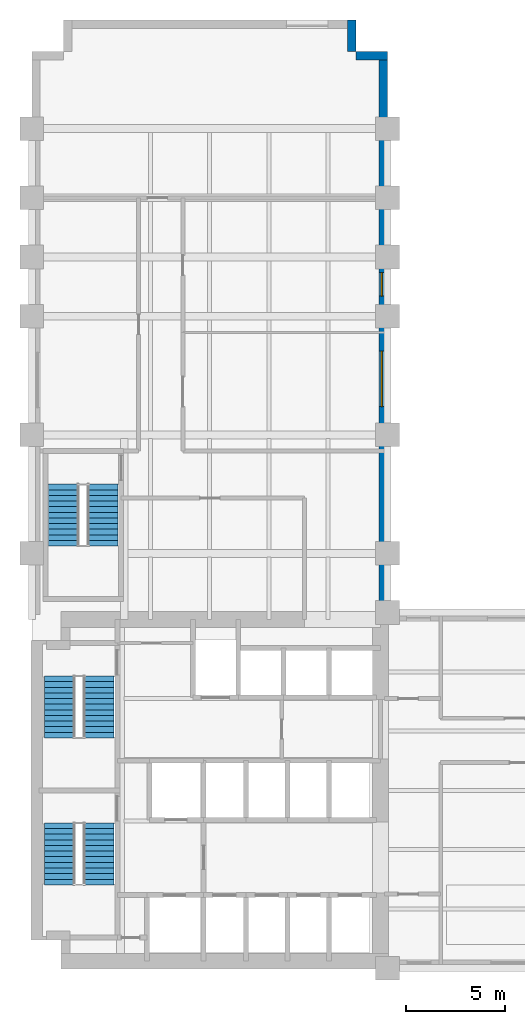
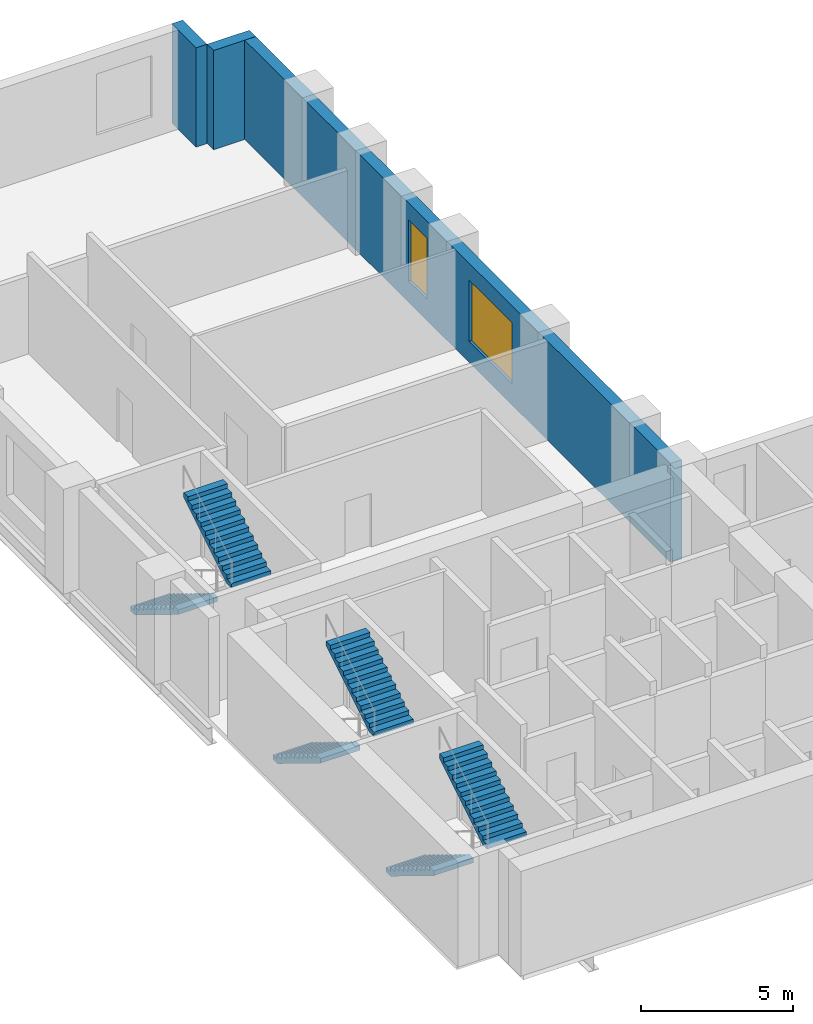
# One storey, part 6 of 7: 6 stair flights, 3 walls, 2 windows, 2 openings, 3 elements without a shape of their own.
"""IFC4 building model written with IfcOpenShell, lengths in metres."""

from ifc_helpers import new_model, si_unit, direction, frame, frame_2d, origin, place, context, subcontext, project, spatial, polyline, rectangle, outline, extrude, material, layer, layer_set, type_object, element, fill, aggregate, save


model = new_model("IFC4")

# Units and contexts
model_context = context("Model", 3, precision=1e-05, world=origin(), true_north=direction((0.0, 1.0)))
body_context = subcontext(model_context, "Body", "Model", "MODEL_VIEW")
ifc_project = project(units=[si_unit("LENGTHUNIT", "METRE"), si_unit("AREAUNIT", "SQUARE_METRE"), si_unit("VOLUMEUNIT", "CUBIC_METRE"), si_unit("PLANEANGLEUNIT", "RADIAN"), si_unit("MASSUNIT", "GRAM", prefix="KILO")], contexts=[model_context])

# Site, building, storey
site_placement = place(None, origin())
site = spatial("IfcSite", under=ifc_project, at=site_placement, CompositionType="ELEMENT")
building_placement = place(site_placement, origin())
building = spatial("IfcBuilding", under=site, at=building_placement, Name="Mawjdan Bourse Tower", CompositionType="ELEMENT")
storey_placement = place(building_placement, frame((0.0, 0.0, 46.800048828125)))
storey = spatial("IfcBuildingStorey", under=building, at=storey_placement, Name="L10", CompositionType="ELEMENT", Elevation=46.800048828125)

# Wall, openings, windows
ifc_material_1 = material(Name="Brick Masonry Buff", Category="masonry")
ifc_layer = layer(ifc_material_1, 0.419921875)
ifc_layer_set = layer_set([ifc_layer], Name="Brick Masonry Buff")
wall_type = type_object("IfcWallType", Name="WL-BRK-BUFF-420", PredefinedType="STANDARD", material=ifc_layer_set)
wall_placement = place(storey_placement, frame((23.7900390625, 21.0, 0.0), z_axis=(0.0, 0.0, 1.0), x_axis=(0.0, 1.0, 0.0)))
wall = element("IfcWall", 1, at=wall_placement, inside=storey, type_object=wall_type, Name="L10 Exterior Brick Wall 8", PredefinedType="STANDARD", context=body_context, shape_type="SweptSolid", body=[
    extrude(rectangle(XDim=28.39990234375, YDim=0.419921875, at=frame_2d((14.199951171875, 0.0))), origin(), (0.0, 0.0, 1.0), 3.97998046875),
])
opening_1_placement = place(wall_placement, frame((10.433349609375, 0.0, 0.85009765625)))
opening_1 = element("IfcOpeningElement", 2, at=opening_1_placement, cuts=wall, Name="Opening W-L10-04", PredefinedType="OPENING", context=body_context, shape_type="SweptSolid", body=[
    extrude(rectangle(XDim=2.800048828125, YDim=2.449951171875, at=frame_2d((1.39990234375, 1.22509765625))), frame((0.0, 0.219970703125, 0.0), z_axis=(0.0, -1.0, 0.0), x_axis=(1.0, 0.0, 0.0)), (0.0, 0.0, 1.0), 0.43994140625),
])
opening_2_placement = place(wall_placement, frame((16.01611328125, 0.0, 0.85009765625)))
opening_2 = element("IfcOpeningElement", 3, at=opening_2_placement, cuts=wall, Name="Opening W-L10-15", PredefinedType="OPENING", context=body_context, shape_type="SweptSolid", body=[
    extrude(rectangle(XDim=1.199951171875, YDim=2.449951171875, at=frame_2d((0.60009765625, 1.22509765625))), frame((0.0, 0.219970703125, 0.0), z_axis=(0.0, -1.0, 0.0), x_axis=(1.0, 0.0, 0.0)), (0.0, 0.0, 1.0), 0.43994140625),
])
ifc_material_2 = material(Name="Solar-Control Clear Double Glazing", Category="glass")
window_type_1 = type_object("IfcWindowType", Name="WN-TRD-1200", PartitioningType="SINGLE_PANEL", PredefinedType="WINDOW", material=ifc_material_2)
window_1_placement = place(opening_2_placement, origin())
window_1 = element("IfcWindow", 4, at=window_1_placement, inside=storey, type_object=window_type_1, Name="L10 Deep-Set Masonry Window W-L10-15", OverallHeight=2.449951171875, OverallWidth=1.199951171875, PartitioningType="SINGLE_PANEL", PredefinedType="WINDOW", context=body_context, shape_type="SweptSolid", body=[
    extrude(rectangle(XDim=1.199951171875, YDim=2.449951171875, at=frame_2d((0.60009765625, 1.22509765625))), frame((0.0, 0.110107421875, 0.0), z_axis=(0.0, -1.0, 0.0), x_axis=(1.0, 0.0, 0.0)), (0.0, 0.0, 1.0), 0.06005859375),
])
fill(opening_2, window_1)
window_type_2 = type_object("IfcWindowType", Name="WN-TRD-2800", PartitioningType="SINGLE_PANEL", PredefinedType="WINDOW", material=ifc_material_2)
window_2_placement = place(opening_1_placement, origin())
window_2 = element("IfcWindow", 5, at=window_2_placement, inside=storey, type_object=window_type_2, Name="L10 Deep-Set Masonry Window W-L10-04", OverallHeight=2.449951171875, OverallWidth=2.800048828125, PartitioningType="SINGLE_PANEL", PredefinedType="WINDOW", context=body_context, shape_type="SweptSolid", body=[
    extrude(rectangle(XDim=2.800048828125, YDim=2.449951171875, at=frame_2d((1.39990234375, 1.22509765625))), frame((0.0, 0.110107421875, 0.0), z_axis=(0.0, -1.0, 0.0), x_axis=(1.0, 0.0, 0.0)), (0.0, 0.0, 1.0), 0.06005859375),
])
fill(opening_1, window_2)

# Walls
for number, where, z_axis, x_axis, name in (
    (6, (24.0, 49.18994140625, 0.0), (0.0, 0.0, 1.0), (-1.0, 0.0, 0.0), "L10 Exterior Brick Wall 9"),
    (7, (22.18994140625, 49.39990234375, 0.0), (0.0, 0.0, 1.0), (0.0, 1.0, 0.0), "L10 Exterior Brick Wall 10"),
):
    element("IfcWall", number, at=place(storey_placement, frame(where, z_axis=z_axis, x_axis=x_axis)), inside=storey, type_object=wall_type, Name=name, PredefinedType="STANDARD", context=body_context, shape_type="SweptSolid", body=[
        extrude(rectangle(XDim=1.60009765625, YDim=0.419921875, at=frame_2d((0.800048828125, 0.0))), origin(), (0.0, 0.0, 1.0), 3.97998046875),
    ])

# Stair, stair flights
ifc_material_3 = material(Name="Concrete C50/60", Category="concrete")
stair_type = type_object("IfcStairType", Name="STR-CORE-1500", PredefinedType="HALF_TURN_STAIR", material=ifc_material_3)
stair_1_placement = place(storey_placement, origin())
stair_1 = element("IfcStair", 8, at=stair_1_placement, inside=storey, type_object=stair_type, Name="L10 Exit Stair 1 (Core South-West)", PredefinedType="HALF_TURN_STAIR")
stair_flight_type = type_object("IfcStairFlightType", Name="SFL-RC-1500", PredefinedType="STRAIGHT", material=ifc_material_3)
stair_flight_1_placement = place(storey_placement, frame((7.389892578125, 10.35009765625, 0.0), z_axis=(0.0, 0.0, 1.0), x_axis=(0.0, -1.0, 0.0)))
stair_flight_1 = element("IfcStairFlight", 9, at=stair_flight_1_placement, type_object=stair_flight_type, Name="ST1-L10 flight 1", NumberOfRisers=12, NumberOfTreads=11, PredefinedType="STRAIGHT", RiserHeight=0.175, TreadLength=0.285, context=body_context, shape_type="SweptSolid", body=[
    extrude(outline(polyline([(0.0, 0.0), (0.0, 0.175048828125), (0.284912109375, 0.175048828125), (0.284912109375, 0.35009765625), (0.570068359375, 0.35009765625), (0.570068359375, 0.52490234375), (0.85498046875, 0.52490234375), (0.85498046875, 0.699951171875), (1.139892578125, 0.699951171875), (1.139892578125, 0.875), (1.425048828125, 0.875), (1.425048828125, 1.050048828125), (1.7099609375, 1.050048828125), (1.7099609375, 1.22509765625), (1.9951171875, 1.22509765625), (1.9951171875, 1.39990234375), (2.280029296875, 1.39990234375), (2.280029296875, 1.574951171875), (2.56494140625, 1.574951171875), (2.56494140625, 1.75), (2.85009765625, 1.75), (2.85009765625, 1.925048828125), (3.135009765625, 1.925048828125), (3.135009765625, 2.10009765625), (3.135009765625, 1.7373046875), (0.3056640625, 0.0), (0.0, 0.0)])), frame((0.0, 0.75, 0.0), z_axis=(0.0, -1.0, 0.0), x_axis=(1.0, 0.0, 0.0)), (0.0, 0.0, 1.0), 1.5),
])
stair_flight_2_placement = place(storey_placement, frame((9.409912109375, 7.215087890625, 2.099853515625), z_axis=(0.0, 0.0, 1.0), x_axis=(0.0, 1.0, 0.0)))
stair_flight_2 = element("IfcStairFlight", 10, at=stair_flight_2_placement, type_object=stair_flight_type, Name="ST1-L10 flight 2", NumberOfRisers=12, NumberOfTreads=11, PredefinedType="STRAIGHT", RiserHeight=0.175, TreadLength=0.285, context=body_context, shape_type="SweptSolid", body=[
    extrude(outline(polyline([(0.0, 0.0), (0.0, 0.175048828125), (0.284912109375, 0.175048828125), (0.284912109375, 0.35009765625), (0.570068359375, 0.35009765625), (0.570068359375, 0.52490234375), (0.85498046875, 0.52490234375), (0.85498046875, 0.699951171875), (1.139892578125, 0.699951171875), (1.139892578125, 0.875), (1.425048828125, 0.875), (1.425048828125, 1.050048828125), (1.7099609375, 1.050048828125), (1.7099609375, 1.22509765625), (1.9951171875, 1.22509765625), (1.9951171875, 1.39990234375), (2.280029296875, 1.39990234375), (2.280029296875, 1.574951171875), (2.56494140625, 1.574951171875), (2.56494140625, 1.75), (2.85009765625, 1.75), (2.85009765625, 1.925048828125), (3.135009765625, 1.925048828125), (3.135009765625, 2.10009765625), (3.135009765625, 1.7373046875), (0.3056640625, 0.0), (0.0, 0.0)])), frame((0.0, 0.75, 0.0), z_axis=(0.0, -1.0, 0.0), x_axis=(1.0, 0.0, 0.0)), (0.0, 0.0, 1.0), 1.5),
])
aggregate(stair_1, [stair_flight_1, stair_flight_2])

stair_2_placement = place(storey_placement, origin())
stair_2 = element("IfcStair", 11, at=stair_2_placement, inside=storey, type_object=stair_type, Name="L10 Exit Stair 2 (Core North-West)", PredefinedType="HALF_TURN_STAIR")
stair_flight_3_placement = place(storey_placement, frame((7.389892578125, 17.7900390625, 0.0), z_axis=(0.0, 0.0, 1.0), x_axis=(0.0, -1.0, 0.0)))
stair_flight_3 = element("IfcStairFlight", 12, at=stair_flight_3_placement, type_object=stair_flight_type, Name="ST2-L10 flight 1", NumberOfRisers=12, NumberOfTreads=11, PredefinedType="STRAIGHT", RiserHeight=0.175, TreadLength=0.285, context=body_context, shape_type="SweptSolid", body=[
    extrude(outline(polyline([(0.0, 0.0), (0.0, 0.175048828125), (0.284912109375, 0.175048828125), (0.284912109375, 0.35009765625), (0.570068359375, 0.35009765625), (0.570068359375, 0.52490234375), (0.85498046875, 0.52490234375), (0.85498046875, 0.699951171875), (1.139892578125, 0.699951171875), (1.139892578125, 0.875), (1.425048828125, 0.875), (1.425048828125, 1.050048828125), (1.7099609375, 1.050048828125), (1.7099609375, 1.22509765625), (1.9951171875, 1.22509765625), (1.9951171875, 1.39990234375), (2.280029296875, 1.39990234375), (2.280029296875, 1.574951171875), (2.56494140625, 1.574951171875), (2.56494140625, 1.75), (2.85009765625, 1.75), (2.85009765625, 1.925048828125), (3.135009765625, 1.925048828125), (3.135009765625, 2.10009765625), (3.135009765625, 1.7373046875), (0.3056640625, 0.0), (0.0, 0.0)])), frame((0.0, 0.75, 0.0), z_axis=(0.0, -1.0, 0.0), x_axis=(1.0, 0.0, 0.0)), (0.0, 0.0, 1.0), 1.5),
])
stair_flight_4_placement = place(storey_placement, frame((9.409912109375, 14.655029296875, 2.099853515625), z_axis=(0.0, 0.0, 1.0), x_axis=(0.0, 1.0, 0.0)))
stair_flight_4 = element("IfcStairFlight", 13, at=stair_flight_4_placement, type_object=stair_flight_type, Name="ST2-L10 flight 2", NumberOfRisers=12, NumberOfTreads=11, PredefinedType="STRAIGHT", RiserHeight=0.175, TreadLength=0.285, context=body_context, shape_type="SweptSolid", body=[
    extrude(outline(polyline([(0.0, 0.0), (0.0, 0.175048828125), (0.284912109375, 0.175048828125), (0.284912109375, 0.35009765625), (0.570068359375, 0.35009765625), (0.570068359375, 0.52490234375), (0.85498046875, 0.52490234375), (0.85498046875, 0.699951171875), (1.139892578125, 0.699951171875), (1.139892578125, 0.875), (1.425048828125, 0.875), (1.425048828125, 1.050048828125), (1.7099609375, 1.050048828125), (1.7099609375, 1.22509765625), (1.9951171875, 1.22509765625), (1.9951171875, 1.39990234375), (2.280029296875, 1.39990234375), (2.280029296875, 1.574951171875), (2.56494140625, 1.574951171875), (2.56494140625, 1.75), (2.85009765625, 1.75), (2.85009765625, 1.925048828125), (3.135009765625, 1.925048828125), (3.135009765625, 2.10009765625), (3.135009765625, 1.7373046875), (0.3056640625, 0.0), (0.0, 0.0)])), frame((0.0, 0.75, 0.0), z_axis=(0.0, -1.0, 0.0), x_axis=(1.0, 0.0, 0.0)), (0.0, 0.0, 1.0), 1.5),
])
aggregate(stair_2, [stair_flight_3, stair_flight_4])

stair_3_placement = place(storey_placement, origin())
stair_3 = element("IfcStair", 14, at=stair_3_placement, inside=storey, type_object=stair_type, Name="L10 Exit Stair 3 (North Wing)", PredefinedType="HALF_TURN_STAIR")
stair_flight_5_placement = place(storey_placement, frame((7.590087890625, 27.5, 0.0), z_axis=(0.0, 0.0, 1.0), x_axis=(0.0, -1.0, 0.0)))
stair_flight_5 = element("IfcStairFlight", 15, at=stair_flight_5_placement, type_object=stair_flight_type, Name="ST3-L10 flight 1", NumberOfRisers=12, NumberOfTreads=11, PredefinedType="STRAIGHT", RiserHeight=0.175, TreadLength=0.285, context=body_context, shape_type="SweptSolid", body=[
    extrude(outline(polyline([(0.0, 0.0), (0.0, 0.175048828125), (0.284912109375, 0.175048828125), (0.284912109375, 0.35009765625), (0.570068359375, 0.35009765625), (0.570068359375, 0.52490234375), (0.85498046875, 0.52490234375), (0.85498046875, 0.699951171875), (1.139892578125, 0.699951171875), (1.139892578125, 0.875), (1.425048828125, 0.875), (1.425048828125, 1.050048828125), (1.7099609375, 1.050048828125), (1.7099609375, 1.22509765625), (1.9951171875, 1.22509765625), (1.9951171875, 1.39990234375), (2.280029296875, 1.39990234375), (2.280029296875, 1.574951171875), (2.56494140625, 1.574951171875), (2.56494140625, 1.75), (2.85009765625, 1.75), (2.85009765625, 1.925048828125), (3.135009765625, 1.925048828125), (3.135009765625, 2.10009765625), (3.135009765625, 1.7373046875), (0.3056640625, 0.0), (0.0, 0.0)])), frame((0.0, 0.75, 0.0), z_axis=(0.0, -1.0, 0.0), x_axis=(1.0, 0.0, 0.0)), (0.0, 0.0, 1.0), 1.5),
])
stair_flight_6_placement = place(storey_placement, frame((9.610107421875, 24.364990234375, 2.099853515625), z_axis=(0.0, 0.0, 1.0), x_axis=(0.0, 1.0, 0.0)))
stair_flight_6 = element("IfcStairFlight", 16, at=stair_flight_6_placement, type_object=stair_flight_type, Name="ST3-L10 flight 2", NumberOfRisers=12, NumberOfTreads=11, PredefinedType="STRAIGHT", RiserHeight=0.175, TreadLength=0.285, context=body_context, shape_type="SweptSolid", body=[
    extrude(outline(polyline([(0.0, 0.0), (0.0, 0.175048828125), (0.284912109375, 0.175048828125), (0.284912109375, 0.35009765625), (0.570068359375, 0.35009765625), (0.570068359375, 0.52490234375), (0.85498046875, 0.52490234375), (0.85498046875, 0.699951171875), (1.139892578125, 0.699951171875), (1.139892578125, 0.875), (1.425048828125, 0.875), (1.425048828125, 1.050048828125), (1.7099609375, 1.050048828125), (1.7099609375, 1.22509765625), (1.9951171875, 1.22509765625), (1.9951171875, 1.39990234375), (2.280029296875, 1.39990234375), (2.280029296875, 1.574951171875), (2.56494140625, 1.574951171875), (2.56494140625, 1.75), (2.85009765625, 1.75), (2.85009765625, 1.925048828125), (3.135009765625, 1.925048828125), (3.135009765625, 2.10009765625), (3.135009765625, 1.7373046875), (0.3056640625, 0.0), (0.0, 0.0)])), frame((0.0, 0.75, 0.0), z_axis=(0.0, -1.0, 0.0), x_axis=(1.0, 0.0, 0.0)), (0.0, 0.0, 1.0), 1.5),
])
aggregate(stair_3, [stair_flight_5, stair_flight_6])

save(model, "model.ifc")
